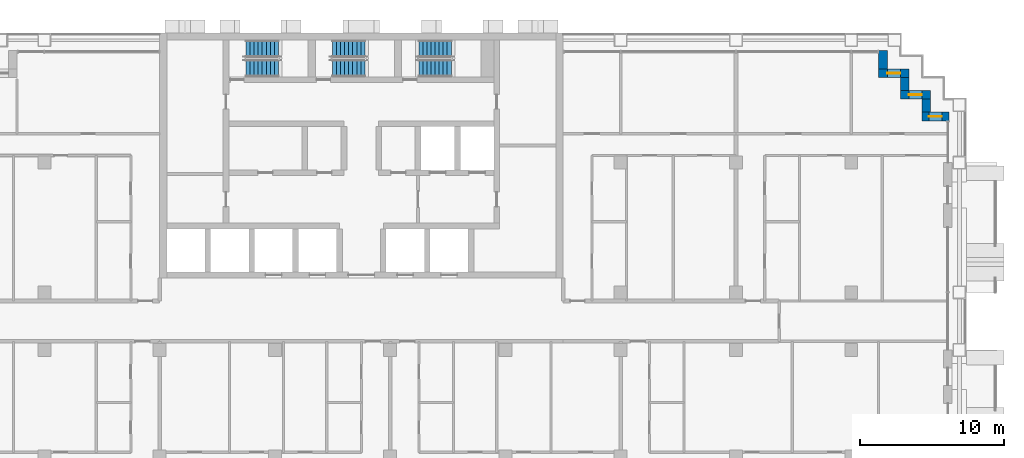
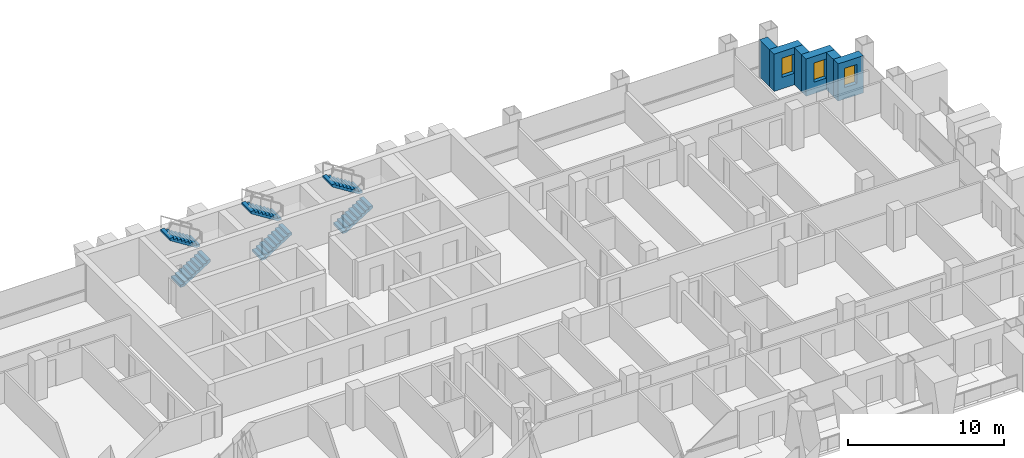
# One storey, part 14 of 18: 6 stair flights, 6 walls, 3 windows, 3 openings, 3 elements without a shape of their own.
"""IFC4 building model written with IfcOpenShell, lengths in metres."""

from ifc_helpers import new_model, si_unit, direction, frame, frame_2d, origin, place, context, subcontext, project, spatial, polyline, rectangle, outline, extrude, material, layer, layer_set, type_object, element, fill, aggregate, save


model = new_model("IFC4")

# Units and contexts
model_context = context("Model", 3, precision=1e-05, world=origin(), true_north=direction((0.0, 1.0)))
body_context = subcontext(model_context, "Body", "Model", "MODEL_VIEW")
ifc_project = project(units=[si_unit("LENGTHUNIT", "METRE"), si_unit("AREAUNIT", "SQUARE_METRE"), si_unit("VOLUMEUNIT", "CUBIC_METRE"), si_unit("PLANEANGLEUNIT", "RADIAN"), si_unit("MASSUNIT", "GRAM", prefix="KILO")], contexts=[model_context])

# Site, building, storey
site_placement = place(None, origin())
site = spatial("IfcSite", under=ifc_project, at=site_placement, CompositionType="ELEMENT")
building_placement = place(site_placement, origin())
building = spatial("IfcBuilding", under=site, at=building_placement, Name="Vidyagriha Tower", CompositionType="ELEMENT")
storey_placement = place(building_placement, frame((0.0, 0.0, 93.5)))
storey = spatial("IfcBuildingStorey", under=building, at=storey_placement, Name="L24", CompositionType="ELEMENT", Elevation=93.5)

# Wall, opening, window
ifc_material_1 = material(Name="Precast concrete C40/50 with brick facing", Category="concrete")
ifc_layer = layer(ifc_material_1, 0.60009765625)
ifc_layer_set = layer_set([ifc_layer], Name="Precast concrete C40/50 with brick facing")
wall_type = type_object("IfcWallType", Name="Brick-faced precast wall 600", PredefinedType="STANDARD", material=ifc_layer_set)
wall_1_placement = place(storey_placement, frame((40.780029296875, 14.199951171875, 0.0), z_axis=(0.0, 0.0, 1.0), x_axis=(-1.0, 0.0, 0.0)))
wall_1 = element("IfcWall", 1, at=wall_1_placement, inside=storey, type_object=wall_type, Name="Stepped corner wall L24 R01", PredefinedType="STANDARD", context=body_context, shape_type="SweptSolid", body=[
    extrude(rectangle(XDim=1.880126953125, YDim=0.60009765625, at=frame_2d((0.93994140625, 0.0))), origin(), (0.0, 0.0, 1.0), 2.919921875),
])
opening_1_placement = place(wall_1_placement, frame((0.489990234375, 0.0, 0.89990234375)))
opening_1 = element("IfcOpeningElement", 2, at=opening_1_placement, cuts=wall_1, Name="Opening WN1", PredefinedType="OPENING", context=body_context, shape_type="SweptSolid", body=[
    extrude(rectangle(XDim=0.89990234375, YDim=1.5, at=frame_2d((0.449951171875, 0.75))), frame((0.0, 0.31005859375, 0.0), z_axis=(0.0, -1.0, 0.0), x_axis=(1.0, 0.0, 0.0)), (0.0, 0.0, 1.0), 0.6201171875),
])
ifc_material_2 = material(Name="Aluminium and glass window", Category="aluminium")
window_type = type_object("IfcWindowType", Name="Reveal window 900x1500", PartitioningType="NOTDEFINED", PredefinedType="WINDOW", material=ifc_material_2)
window_1_placement = place(opening_1_placement, origin())
window_1 = element("IfcWindow", 3, at=window_1_placement, inside=storey, type_object=window_type, Name="Reveal window L24 R01", OverallHeight=1.5, OverallWidth=0.89990234375, PartitioningType="SINGLE_PANEL", PredefinedType="WINDOW", context=body_context, shape_type="SweptSolid", body=[
    extrude(rectangle(XDim=0.89990234375, YDim=1.5, at=frame_2d((0.449951171875, 0.75))), frame((0.0, 0.030029296875, 0.0), z_axis=(0.0, -1.0, 0.0), x_axis=(1.0, 0.0, 0.0)), (0.0, 0.0, 1.0), 0.06005859375),
])
fill(opening_1, window_1)

# Wall
wall_2_placement = place(storey_placement, frame((39.199951171875, 14.5, 0.0), z_axis=(0.0, 0.0, 1.0), x_axis=(0.0, 1.0, 0.0)))
element("IfcWall", 4, at=wall_2_placement, inside=storey, type_object=wall_type, Name="Stepped corner wall L24 R02", PredefinedType="STANDARD", context=body_context, shape_type="SweptSolid", body=[
    extrude(rectangle(XDim=0.89990234375, YDim=0.60009765625, at=frame_2d((0.449951171875, 0.0))), origin(), (0.0, 0.0, 1.0), 2.919921875),
])

# Wall, opening, window
wall_3_placement = place(storey_placement, frame((39.5, 15.699951171875, 0.0), z_axis=(0.0, 0.0, 1.0), x_axis=(-1.0, 0.0, 0.0)))
wall_3 = element("IfcWall", 5, at=wall_3_placement, inside=storey, type_object=wall_type, Name="Stepped corner wall L24 R03", PredefinedType="STANDARD", context=body_context, shape_type="SweptSolid", body=[
    extrude(rectangle(XDim=2.10009765625, YDim=0.60009765625, at=frame_2d((1.050048828125, 0.0))), origin(), (0.0, 0.0, 1.0), 2.919921875),
])
opening_2_placement = place(wall_3_placement, frame((0.60009765625, 0.0, 0.89990234375)))
opening_2 = element("IfcOpeningElement", 6, at=opening_2_placement, cuts=wall_3, Name="Opening WN1", PredefinedType="OPENING", context=body_context, shape_type="SweptSolid", body=[
    extrude(rectangle(XDim=0.89990234375, YDim=1.5, at=frame_2d((0.449951171875, 0.75))), frame((0.0, 0.31005859375, 0.0), z_axis=(0.0, -1.0, 0.0), x_axis=(1.0, 0.0, 0.0)), (0.0, 0.0, 1.0), 0.6201171875),
])
window_2_placement = place(opening_2_placement, origin())
window_2 = element("IfcWindow", 7, at=window_2_placement, inside=storey, type_object=window_type, Name="Reveal window L24 R03", OverallHeight=1.5, OverallWidth=0.89990234375, PartitioningType="SINGLE_PANEL", PredefinedType="WINDOW", context=body_context, shape_type="SweptSolid", body=[
    extrude(rectangle(XDim=0.89990234375, YDim=1.5, at=frame_2d((0.449951171875, 0.75))), frame((0.0, 0.030029296875, 0.0), z_axis=(0.0, -1.0, 0.0), x_axis=(1.0, 0.0, 0.0)), (0.0, 0.0, 1.0), 0.06005859375),
])
fill(opening_2, window_2)

# Wall
wall_4_placement = place(storey_placement, frame((37.699951171875, 16.0, 0.0), z_axis=(0.0, 0.0, 1.0), x_axis=(0.0, 1.0, 0.0)))
element("IfcWall", 8, at=wall_4_placement, inside=storey, type_object=wall_type, Name="Stepped corner wall L24 R04", PredefinedType="STANDARD", context=body_context, shape_type="SweptSolid", body=[
    extrude(rectangle(XDim=0.89990234375, YDim=0.60009765625, at=frame_2d((0.449951171875, 0.0))), origin(), (0.0, 0.0, 1.0), 2.919921875),
])

# Wall, opening, window
wall_5_placement = place(storey_placement, frame((38.0, 17.199951171875, 0.0), z_axis=(0.0, 0.0, 1.0), x_axis=(-1.0, 0.0, 0.0)))
wall_5 = element("IfcWall", 9, at=wall_5_placement, inside=storey, type_object=wall_type, Name="Stepped corner wall L24 R05", PredefinedType="STANDARD", context=body_context, shape_type="SweptSolid", body=[
    extrude(rectangle(XDim=2.10009765625, YDim=0.60009765625, at=frame_2d((1.050048828125, 0.0))), origin(), (0.0, 0.0, 1.0), 2.919921875),
])
opening_3_placement = place(wall_5_placement, frame((0.60009765625, 0.0, 0.89990234375)))
opening_3 = element("IfcOpeningElement", 10, at=opening_3_placement, cuts=wall_5, Name="Opening WN1", PredefinedType="OPENING", context=body_context, shape_type="SweptSolid", body=[
    extrude(rectangle(XDim=0.89990234375, YDim=1.5, at=frame_2d((0.449951171875, 0.75))), frame((0.0, 0.31005859375, 0.0), z_axis=(0.0, -1.0, 0.0), x_axis=(1.0, 0.0, 0.0)), (0.0, 0.0, 1.0), 0.6201171875),
])
window_3_placement = place(opening_3_placement, origin())
window_3 = element("IfcWindow", 11, at=window_3_placement, inside=storey, type_object=window_type, Name="Reveal window L24 R05", OverallHeight=1.5, OverallWidth=0.89990234375, PartitioningType="SINGLE_PANEL", PredefinedType="WINDOW", context=body_context, shape_type="SweptSolid", body=[
    extrude(rectangle(XDim=0.89990234375, YDim=1.5, at=frame_2d((0.449951171875, 0.75))), frame((0.0, 0.030029296875, 0.0), z_axis=(0.0, -1.0, 0.0), x_axis=(1.0, 0.0, 0.0)), (0.0, 0.0, 1.0), 0.06005859375),
])
fill(opening_3, window_3)

# Wall
wall_6_placement = place(storey_placement, frame((36.199951171875, 17.5, 0.0), z_axis=(0.0, 0.0, 1.0), x_axis=(0.0, 1.0, 0.0)))
element("IfcWall", 12, at=wall_6_placement, inside=storey, type_object=wall_type, Name="Stepped corner wall L24 R06", PredefinedType="STANDARD", context=body_context, shape_type="SweptSolid", body=[
    extrude(rectangle(XDim=1.280029296875, YDim=0.60009765625, at=frame_2d((0.64013671875, 0.0))), origin(), (0.0, 0.0, 1.0), 2.919921875),
])

# Stair, stair flights
ifc_material_3 = material(Name="Concrete C40/50", Category="concrete")
stair_type = type_object("IfcStairType", Name="Exit stair, half-turn, precast flights", PredefinedType="HALF_TURN_STAIR", material=ifc_material_3)
stair_1_placement = place(storey_placement, origin())
stair_1 = element("IfcStair", 13, at=stair_1_placement, inside=storey, type_object=stair_type, Name="L24 Exit Stair ST1", PredefinedType="HALF_TURN_STAIR")
ifc_material_4 = material(Name="Precast concrete C40/50", Category="concrete")
stair_flight_type = type_object("IfcStairFlightType", Name="Exit stair flight 1200 mm, precast", PredefinedType="STRAIGHT", material=ifc_material_4)
stair_flight_1_placement = place(storey_placement, frame((-8.0, 17.550048828125, 0.0)))
stair_flight_1 = element("IfcStairFlight", 14, at=stair_flight_1_placement, type_object=stair_flight_type, Name="ST1 flight 1", NumberOfRisers=9, NumberOfTreads=8, PredefinedType="STRAIGHT", RiserHeight=0.177777778, TreadLength=0.28, context=body_context, shape_type="SweptSolid", body=[
    extrude(outline(polyline([(0.0, 0.0), (0.0, 0.177734375), (0.280029296875, 0.177734375), (0.280029296875, 0.35546875), (0.56005859375, 0.35546875), (0.56005859375, 0.533447265625), (0.840087890625, 0.533447265625), (0.840087890625, 0.711181640625), (1.1201171875, 0.711181640625), (1.1201171875, 0.888916015625), (1.39990234375, 0.888916015625), (1.39990234375, 1.066650390625), (1.679931640625, 1.066650390625), (1.679931640625, 1.244384765625), (1.9599609375, 1.244384765625), (1.9599609375, 1.422119140625), (2.239990234375, 1.422119140625), (2.239990234375, 1.60009765625), (2.239990234375, 1.24462890625), (0.27978515625, 0.0), (0.0, 0.0)])), frame((0.0, 0.60009765625, 0.0), z_axis=(0.0, -1.0, 0.0), x_axis=(1.0, 0.0, 0.0)), (0.0, 0.0, 1.0), 1.199951171875),
])
stair_flight_2_placement = place(storey_placement, frame((-5.760009765625, 18.89990234375, 1.60009765625), z_axis=(0.0, 0.0, 1.0), x_axis=(-1.0, 0.0, 0.0)))
stair_flight_2 = element("IfcStairFlight", 15, at=stair_flight_2_placement, type_object=stair_flight_type, Name="ST1 flight 2", NumberOfRisers=9, NumberOfTreads=8, PredefinedType="STRAIGHT", RiserHeight=0.177777778, TreadLength=0.28, context=body_context, shape_type="SweptSolid", body=[
    extrude(outline(polyline([(0.0, 0.0), (0.0, 0.177734375), (0.280029296875, 0.177734375), (0.280029296875, 0.35546875), (0.56005859375, 0.35546875), (0.56005859375, 0.533447265625), (0.840087890625, 0.533447265625), (0.840087890625, 0.711181640625), (1.1201171875, 0.711181640625), (1.1201171875, 0.888916015625), (1.39990234375, 0.888916015625), (1.39990234375, 1.066650390625), (1.679931640625, 1.066650390625), (1.679931640625, 1.244384765625), (1.9599609375, 1.244384765625), (1.9599609375, 1.422119140625), (2.239990234375, 1.422119140625), (2.239990234375, 1.60009765625), (2.239990234375, 1.24462890625), (0.27978515625, 0.0), (0.0, 0.0)])), frame((0.0, 0.60009765625, 0.0), z_axis=(0.0, -1.0, 0.0), x_axis=(1.0, 0.0, 0.0)), (0.0, 0.0, 1.0), 1.199951171875),
])
aggregate(stair_1, [stair_flight_1, stair_flight_2])

stair_2_placement = place(storey_placement, origin())
stair_2 = element("IfcStair", 16, at=stair_2_placement, inside=storey, type_object=stair_type, Name="L24 Exit Stair ST2", PredefinedType="HALF_TURN_STAIR")
stair_flight_3_placement = place(storey_placement, frame((-2.0, 17.550048828125, 0.0)))
stair_flight_3 = element("IfcStairFlight", 17, at=stair_flight_3_placement, type_object=stair_flight_type, Name="ST2 flight 1", NumberOfRisers=9, NumberOfTreads=8, PredefinedType="STRAIGHT", RiserHeight=0.177777778, TreadLength=0.28, context=body_context, shape_type="SweptSolid", body=[
    extrude(outline(polyline([(0.0, 0.0), (0.0, 0.177734375), (0.280029296875, 0.177734375), (0.280029296875, 0.35546875), (0.56005859375, 0.35546875), (0.56005859375, 0.533447265625), (0.840087890625, 0.533447265625), (0.840087890625, 0.711181640625), (1.1201171875, 0.711181640625), (1.1201171875, 0.888916015625), (1.39990234375, 0.888916015625), (1.39990234375, 1.066650390625), (1.679931640625, 1.066650390625), (1.679931640625, 1.244384765625), (1.9599609375, 1.244384765625), (1.9599609375, 1.422119140625), (2.239990234375, 1.422119140625), (2.239990234375, 1.60009765625), (2.239990234375, 1.24462890625), (0.27978515625, 0.0), (0.0, 0.0)])), frame((0.0, 0.60009765625, 0.0), z_axis=(0.0, -1.0, 0.0), x_axis=(1.0, 0.0, 0.0)), (0.0, 0.0, 1.0), 1.199951171875),
])
stair_flight_4_placement = place(storey_placement, frame((0.239990234375, 18.89990234375, 1.60009765625), z_axis=(0.0, 0.0, 1.0), x_axis=(-1.0, 0.0, 0.0)))
stair_flight_4 = element("IfcStairFlight", 18, at=stair_flight_4_placement, type_object=stair_flight_type, Name="ST2 flight 2", NumberOfRisers=9, NumberOfTreads=8, PredefinedType="STRAIGHT", RiserHeight=0.177777778, TreadLength=0.28, context=body_context, shape_type="SweptSolid", body=[
    extrude(outline(polyline([(0.0, 0.0), (0.0, 0.177734375), (0.280029296875, 0.177734375), (0.280029296875, 0.35546875), (0.56005859375, 0.35546875), (0.56005859375, 0.533447265625), (0.840087890625, 0.533447265625), (0.840087890625, 0.711181640625), (1.1201171875, 0.711181640625), (1.1201171875, 0.888916015625), (1.39990234375, 0.888916015625), (1.39990234375, 1.066650390625), (1.679931640625, 1.066650390625), (1.679931640625, 1.244384765625), (1.9599609375, 1.244384765625), (1.9599609375, 1.422119140625), (2.239990234375, 1.422119140625), (2.239990234375, 1.60009765625), (2.239990234375, 1.24462890625), (0.27978515625, 0.0), (0.0, 0.0)])), frame((0.0, 0.60009765625, 0.0), z_axis=(0.0, -1.0, 0.0), x_axis=(1.0, 0.0, 0.0)), (0.0, 0.0, 1.0), 1.199951171875),
])
aggregate(stair_2, [stair_flight_3, stair_flight_4])

stair_3_placement = place(storey_placement, origin())
stair_3 = element("IfcStair", 19, at=stair_3_placement, inside=storey, type_object=stair_type, Name="L24 Exit Stair ST3", PredefinedType="HALF_TURN_STAIR")
stair_flight_5_placement = place(storey_placement, frame((4.0, 17.550048828125, 0.0)))
stair_flight_5 = element("IfcStairFlight", 20, at=stair_flight_5_placement, type_object=stair_flight_type, Name="ST3 flight 1", NumberOfRisers=9, NumberOfTreads=8, PredefinedType="STRAIGHT", RiserHeight=0.177777778, TreadLength=0.28, context=body_context, shape_type="SweptSolid", body=[
    extrude(outline(polyline([(0.0, 0.0), (0.0, 0.177734375), (0.280029296875, 0.177734375), (0.280029296875, 0.35546875), (0.56005859375, 0.35546875), (0.56005859375, 0.533447265625), (0.840087890625, 0.533447265625), (0.840087890625, 0.711181640625), (1.1201171875, 0.711181640625), (1.1201171875, 0.888916015625), (1.39990234375, 0.888916015625), (1.39990234375, 1.066650390625), (1.679931640625, 1.066650390625), (1.679931640625, 1.244384765625), (1.9599609375, 1.244384765625), (1.9599609375, 1.422119140625), (2.239990234375, 1.422119140625), (2.239990234375, 1.60009765625), (2.239990234375, 1.24462890625), (0.27978515625, 0.0), (0.0, 0.0)])), frame((0.0, 0.60009765625, 0.0), z_axis=(0.0, -1.0, 0.0), x_axis=(1.0, 0.0, 0.0)), (0.0, 0.0, 1.0), 1.199951171875),
])
stair_flight_6_placement = place(storey_placement, frame((6.239990234375, 18.89990234375, 1.60009765625), z_axis=(0.0, 0.0, 1.0), x_axis=(-1.0, 0.0, 0.0)))
stair_flight_6 = element("IfcStairFlight", 21, at=stair_flight_6_placement, type_object=stair_flight_type, Name="ST3 flight 2", NumberOfRisers=9, NumberOfTreads=8, PredefinedType="STRAIGHT", RiserHeight=0.177777778, TreadLength=0.28, context=body_context, shape_type="SweptSolid", body=[
    extrude(outline(polyline([(0.0, 0.0), (0.0, 0.177734375), (0.280029296875, 0.177734375), (0.280029296875, 0.35546875), (0.56005859375, 0.35546875), (0.56005859375, 0.533447265625), (0.840087890625, 0.533447265625), (0.840087890625, 0.711181640625), (1.1201171875, 0.711181640625), (1.1201171875, 0.888916015625), (1.39990234375, 0.888916015625), (1.39990234375, 1.066650390625), (1.679931640625, 1.066650390625), (1.679931640625, 1.244384765625), (1.9599609375, 1.244384765625), (1.9599609375, 1.422119140625), (2.239990234375, 1.422119140625), (2.239990234375, 1.60009765625), (2.239990234375, 1.24462890625), (0.27978515625, 0.0), (0.0, 0.0)])), frame((0.0, 0.60009765625, 0.0), z_axis=(0.0, -1.0, 0.0), x_axis=(1.0, 0.0, 0.0)), (0.0, 0.0, 1.0), 1.199951171875),
])
aggregate(stair_3, [stair_flight_5, stair_flight_6])

save(model, "model.ifc")
